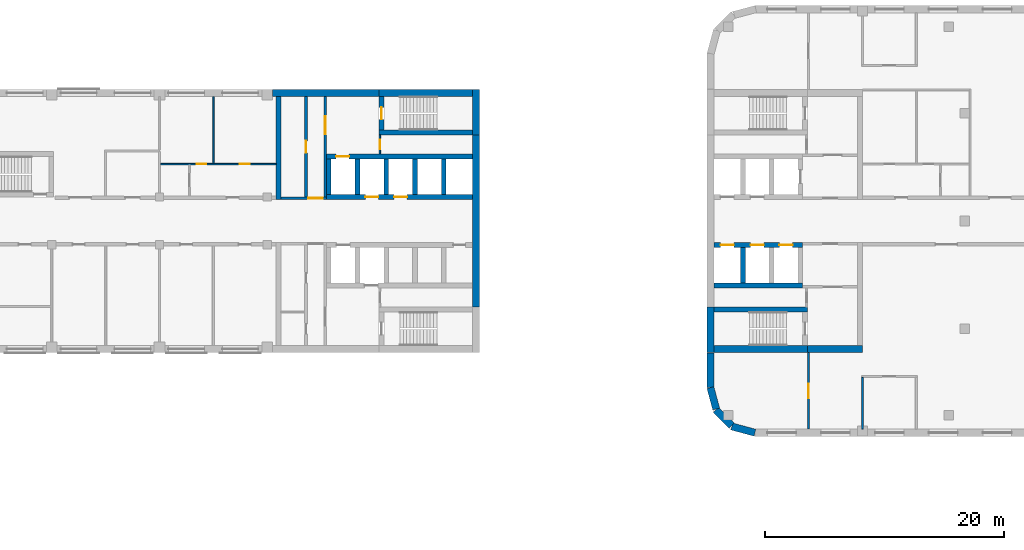
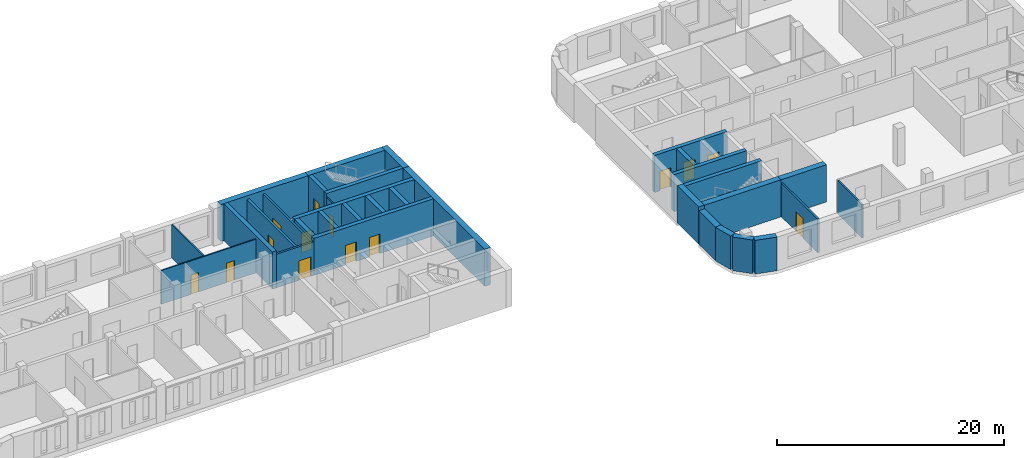
# One storey, part 6 of 12: 33 walls, 14 doors, 14 openings.
"""IFC4 building model written with IfcOpenShell, lengths in metres."""

import ifcopenshell
import ifcopenshell.guid

model = None  # the IFC model being written
_history = None  # IfcOwnerHistory: only IFC2X3 demands one
_inside = {}  # id of a spatial element -> (the spatial element, [elements in it])
_under = {}  # id of a project, library or spatial element -> (it, [spatial elements below it])
_declared = {}  # id of a project -> (the project, [libraries it declares])
_typed = {}  # id of a type object -> (the type object, [elements of that type])
_made_of = {}  # id of a material, layer set ... -> (it, [elements and type objects made of it])


def new_model(schema):
    """Start an empty IFC model of exactly this schema.

    Asked for "IFC4X3", IfcOpenShell would pick the latest addendum, in which some entities
    have other attributes; the version numbers below select the first issue.
    IFC2X3 requires an IfcOwnerHistory on every rooted entity: one is made here for all.
    """
    global model, _history
    if schema == "IFC4X3":
        model = ifcopenshell.file(schema_version=(4, 3, 0, 0))
    else:
        model = ifcopenshell.file(schema=schema)
    _inside.clear()
    _under.clear()
    _declared.clear()
    _typed.clear()
    _made_of.clear()
    _history = None
    if model.schema == "IFC2X3":
        org = make("IfcOrganization", Name="unknown")
        user = make(
            "IfcPersonAndOrganization",
            ThePerson=make("IfcPerson", FamilyName="unknown"),
            TheOrganization=org,
        )
        app = make(
            "IfcApplication",
            ApplicationDeveloper=org,
            Version="unknown",
            ApplicationFullName="unknown",
            ApplicationIdentifier="unknown",
        )
        _history = make(
            "IfcOwnerHistory",
            OwningUser=user,
            OwningApplication=app,
            ChangeAction="ADDED",
            CreationDate=0,
        )
    return model


def make(cls, **values):
    """One entity of the class cls with the attributes given. An attribute that is None is left unset."""
    return model.create_entity(
        cls, **{name: value for name, value in values.items() if value is not None}
    )


def rooted(cls, **values):
    """An entity with a GlobalId (a new one), such as an element, a storey or a relation."""
    return make(cls, GlobalId=ifcopenshell.guid.new(), OwnerHistory=_history, **values)


def si_unit(unit_type, name, prefix=None):
    """IfcSIUnit, for example si_unit("LENGTHUNIT", "METRE", prefix="MILLI")."""
    return make("IfcSIUnit", UnitType=unit_type, Prefix=prefix, Name=name)


def assignment(units):
    """IfcUnitAssignment: the units of a project."""
    return None if units is None else make("IfcUnitAssignment", Units=units)


def point(xyz):
    """IfcCartesianPoint."""
    return None if xyz is None else make("IfcCartesianPoint", Coordinates=xyz)


def direction(xyz):
    """IfcDirection."""
    return None if xyz is None else make("IfcDirection", DirectionRatios=xyz)


def frame(location, z_axis=None, x_axis=None):
    """IfcAxis2Placement3D, a coordinate frame: its origin and axes. An axis left out is left unset."""
    return make(
        "IfcAxis2Placement3D",
        Location=point(location),
        Axis=direction(z_axis),
        RefDirection=direction(x_axis),
    )


def frame_2d(location, x_axis=None):
    """IfcAxis2Placement2D, a coordinate frame in the plane: its origin and x axis."""
    return make(
        "IfcAxis2Placement2D", Location=point(location), RefDirection=direction(x_axis)
    )


def origin():
    """The frame at (0, 0, 0) with its axes left unset."""
    return frame((0.0, 0.0, 0.0))


def place(relative_to, where):
    """IfcLocalPlacement: puts the frame where relative to a parent placement (None: the world)."""
    return make(
        "IfcLocalPlacement", PlacementRelTo=relative_to, RelativePlacement=where
    )


def context(
    kind, dimensions, precision=None, world=None, true_north=None, identifier=None
):
    """IfcGeometricRepresentationContext, for example the 3D "Model" context."""
    return make(
        "IfcGeometricRepresentationContext",
        ContextIdentifier=identifier,
        ContextType=kind,
        CoordinateSpaceDimension=dimensions,
        Precision=precision,
        WorldCoordinateSystem=world,
        TrueNorth=true_north,
    )


def subcontext(parent, identifier, kind, view, scale=None):
    """IfcGeometricRepresentationSubContext, for example "Body" below "Model"."""
    return make(
        "IfcGeometricRepresentationSubContext",
        ContextIdentifier=identifier,
        ContextType=kind,
        ParentContext=parent,
        TargetScale=scale,
        TargetView=view,
    )


def project(units=None, contexts=None):
    """IfcProject with its units and contexts."""
    return rooted(
        "IfcProject",
        Name="project",
        RepresentationContexts=contexts,
        UnitsInContext=assignment(units),
    )


def spatial(cls, under=None, at=None, **own):
    """A site, building, storey or space (cls), placed at a placement, below another one or the project."""
    s = rooted(cls, ObjectPlacement=at, **own)
    if under is not None:
        _under.setdefault(under.id(), (under, []))[1].append(s)
    return s


def profile(cls, at=None, kind="AREA", **sizes):
    """A parametric profile (cls). Its sizes go by their IFC names, for example OverallWidth=200.0."""
    return make(cls, ProfileType=kind, Position=at, **sizes)


def rectangle(**sizes):
    """IfcRectangleProfileDef."""
    return profile("IfcRectangleProfileDef", **sizes)


def extrude(swept, where, along, depth):
    """IfcExtrudedAreaSolid: the profile swept, set in the frame where, extruded along a direction by depth."""
    return make(
        "IfcExtrudedAreaSolid",
        SweptArea=swept,
        Position=where,
        ExtrudedDirection=direction(along),
        Depth=depth,
    )


def shape(context_of_items, identifier, shape_type, items):
    """IfcShapeRepresentation: the items that make up one representation, for example the "Body"."""
    return make(
        "IfcShapeRepresentation",
        ContextOfItems=context_of_items,
        RepresentationIdentifier=identifier,
        RepresentationType=shape_type,
        Items=items,
    )


def material(Name=None, Category=None):
    """IfcMaterial."""
    return make("IfcMaterial", Name=Name, Category=Category)


def layer(
    of_material, thickness, ventilated=None, Name=None, Category=None, Priority=None
):
    """IfcMaterialLayer: one layer of a wall or slab, of a material (None: an air gap)."""
    return make(
        "IfcMaterialLayer",
        Material=of_material,
        LayerThickness=thickness,
        IsVentilated=ventilated,
        Name=Name,
        Category=Category,
        Priority=Priority,
    )


def layer_set(layers, Name=None):
    """IfcMaterialLayerSet."""
    return make("IfcMaterialLayerSet", MaterialLayers=layers, LayerSetName=Name)


def made_of(thing, what):
    """Note that an element or type object is made of a material, layer set ...; save() writes the relation."""
    if what is not None:
        _made_of.setdefault(what.id(), (what, []))[1].append(thing)
    return thing


def type_object(cls, material=None, **own):
    """A type object (cls), such as IfcWallType, which elements share."""
    return made_of(rooted(cls, **own), material)


def element(
    cls,
    number,
    at=None,
    inside=None,
    cuts=None,
    type_object=None,
    material=None,
    context=None,
    identifier="Body",
    shape_type=None,
    held_by="IfcProductDefinitionShape",
    body=None,
    shapes=None,
    **own,
):
    """One element of the class cls, such as IfcWall. Its Tag is "e" and its number.

    at: its placement. inside: the storey or other place that contains it. cuts: it is an
    opening in that element (IfcRelVoidsElement). A single representation is given by context,
    identifier, shape_type and body (its items); several are given by shapes. held_by: the class
    of the entity that holds the representations. save() writes the other relations.
    """
    e = rooted(cls, Tag="e%d" % number, ObjectPlacement=at, **own)
    if body is not None:
        shapes = [shape(context, identifier, shape_type, body)]
    if shapes is not None:
        e.Representation = make(held_by, Representations=shapes)
    if inside is not None:
        _inside.setdefault(inside.id(), (inside, []))[1].append(e)
    if cuts is not None:
        rooted(
            "IfcRelVoidsElement", RelatingBuildingElement=cuts, RelatedOpeningElement=e
        )
    if type_object is not None:
        _typed.setdefault(type_object.id(), (type_object, []))[1].append(e)
    return made_of(e, material)


def fill(opening, filler):
    """IfcRelFillsElement: the door or window that sits in an opening."""
    return rooted(
        "IfcRelFillsElement",
        RelatingOpeningElement=opening,
        RelatedBuildingElement=filler,
    )


def aggregate(whole, parts):
    """IfcRelAggregates: a whole, such as a stair, and the parts it consists of."""
    return rooted("IfcRelAggregates", RelatingObject=whole, RelatedObjects=parts)


def save(model, path):
    """Write the relations noted so far, then the file.

    IfcRelAggregates (storeys below a building ...), IfcRelContainedInSpatialStructure (elements
    in a storey), IfcRelDefinesByType, IfcRelAssociatesMaterial and IfcRelDeclares: one each for
    every whole, place, type object, material and project.
    """
    for whole, parts in _under.values():
        aggregate(whole, parts)
    for where, things in _inside.values():
        rooted(
            "IfcRelContainedInSpatialStructure",
            RelatedElements=things,
            RelatingStructure=where,
        )
    for kind, things in _typed.values():
        rooted("IfcRelDefinesByType", RelatedObjects=things, RelatingType=kind)
    for what, things in _made_of.values():
        rooted("IfcRelAssociatesMaterial", RelatedObjects=things, RelatingMaterial=what)
    for by, libraries in _declared.values():
        rooted("IfcRelDeclares", RelatingContext=by, RelatedDefinitions=libraries)
    model.write(path)


model = new_model("IFC4")

# Units and contexts
model_context = context("Model", 3, precision=1e-05, world=origin(), true_north=direction((0.0, 1.0)))
body_context = subcontext(model_context, "Body", "Model", "MODEL_VIEW")
ifc_project = project(units=[si_unit("LENGTHUNIT", "METRE"), si_unit("AREAUNIT", "SQUARE_METRE"), si_unit("VOLUMEUNIT", "CUBIC_METRE"), si_unit("PLANEANGLEUNIT", "RADIAN"), si_unit("MASSUNIT", "GRAM", prefix="KILO")], contexts=[model_context])

# Site, building, storey
site_placement = place(None, origin())
site = spatial("IfcSite", under=ifc_project, at=site_placement, CompositionType="ELEMENT")
building_placement = place(site_placement, origin())
building = spatial("IfcBuilding", under=site, at=building_placement, Name="Skarvind Civic Tower", CompositionType="ELEMENT")
storey_placement = place(building_placement, frame((0.0, 0.0, 47.5)))
storey = spatial("IfcBuildingStorey", under=building, at=storey_placement, Name="L10", CompositionType="ELEMENT", Elevation=47.5)

# Wall, opening, door
ifc_material_1 = material(Name="Acoustic gypsum board on steel studs", Category="steel")
ifc_layer_1 = layer(ifc_material_1, 0.175048828125)
ifc_layer_set_1 = layer_set([ifc_layer_1], Name="ACOUSTIC MEETING-ROOM PARTITION 175")
wall_type_1 = type_object("IfcWallType", Name="ACOUSTIC MEETING-ROOM PARTITION 175", PredefinedType="PARTITIONING", material=ifc_layer_set_1)
wall_1_placement = place(storey_placement, frame((135.5, 117.0, 0.0), z_axis=(0.0, 0.0, 1.0), x_axis=(0.0, -1.0, 0.0)))
wall_1 = element("IfcWall", 1, at=wall_1_placement, inside=storey, type_object=wall_type_1, Name="Partition 10.001", PredefinedType="PARTITIONING", context=body_context, shape_type="SweptSolid", body=[
    extrude(rectangle(XDim=6.39990234375, YDim=0.175048828125, at=frame_2d((3.199951171875, 0.0))), origin(), (0.0, 0.0, 1.0), 3.625),
])
opening_1_placement = place(wall_1_placement, frame((2.60009765625, 0.0, 0.0)))
opening_1 = element("IfcOpeningElement", 2, at=opening_1_placement, cuts=wall_1, Name="Opening L10-D111", PredefinedType="OPENING", context=body_context, shape_type="SweptSolid", body=[
    extrude(rectangle(XDim=1.199951171875, YDim=2.10009765625, at=frame_2d((0.60009765625, 1.050048828125))), frame((0.0, 0.097412109375, 0.0), z_axis=(0.0, -1.0, 0.0), x_axis=(1.0, 0.0, 0.0)), (0.0, 0.0, 1.0), 0.195068359375),
])
ifc_material_2 = material(Name="Timber door leaf", Category="wood")
door_type_1 = type_object("IfcDoorType", Name="DOOR 1200X2100 DOUBLE TIMBER", OperationType="NOTDEFINED", PredefinedType="DOOR", material=ifc_material_2)
door_1_placement = place(opening_1_placement, origin())
door_1 = element("IfcDoor", 3, at=door_1_placement, inside=storey, type_object=door_type_1, Name="Door L10-D111", OperationType="DOUBLE_DOOR_SINGLE_SWING", OverallHeight=2.10009765625, OverallWidth=1.199951171875, PredefinedType="DOOR", context=body_context, shape_type="SweptSolid", body=[
    extrude(rectangle(XDim=1.199951171875, YDim=2.10009765625, at=frame_2d((0.60009765625, 1.050048828125))), frame((0.0, 0.02490234375, 0.0), z_axis=(0.0, -1.0, 0.0), x_axis=(1.0, 0.0, 0.0)), (0.0, 0.0, 1.0), 0.050048828125),
])
fill(opening_1, door_1)

ifc_material_3 = material(Name="Fire-rated masonry partition", Category="masonry")
ifc_layer_2 = layer(ifc_material_3, 0.199951171875)
ifc_layer_set_2 = layer_set([ifc_layer_2], Name="Core enclosure wall 200")
wall_type_2 = type_object("IfcWallType", Name="Core enclosure wall 200", PredefinedType="PARTITIONING", material=ifc_layer_set_2)
wall_2_placement = place(storey_placement, frame((91.39990234375, 129.89990234375, 0.0), z_axis=(0.0, 0.0, 1.0), x_axis=(1.0, 0.0, 0.0)))
wall_2 = element("IfcWall", 4, at=wall_2_placement, inside=storey, type_object=wall_type_2, Name="Core wall C1", PredefinedType="PARTITIONING", context=body_context, shape_type="SweptSolid", body=[
    extrude(rectangle(XDim=3.800048828125, YDim=0.199951171875, at=frame_2d((1.89990234375, 0.0))), origin(), (0.0, 0.0, 1.0), 3.625),
])
opening_2_placement = place(wall_2_placement, frame((2.300048828125, 0.0, 0.0)))
opening_2 = element("IfcOpeningElement", 5, at=opening_2_placement, cuts=wall_2, Name="Opening D-L10-C1-11", PredefinedType="OPENING", context=body_context, shape_type="SweptSolid", body=[
    extrude(rectangle(XDim=1.199951171875, YDim=2.10009765625, at=frame_2d((0.60009765625, 1.050048828125))), frame((0.0, 0.10986328125, 0.0), z_axis=(0.0, -1.0, 0.0), x_axis=(1.0, 0.0, 0.0)), (0.0, 0.0, 1.0), 0.219970703125),
])
ifc_material_4 = material(Name="Fire-rated steel door", Category="steel")
door_type_2 = type_object("IfcDoorType", Name="Core lobby door 1200", OperationType="NOTDEFINED", PredefinedType="DOOR", material=ifc_material_4)
door_2_placement = place(opening_2_placement, origin())
door_2 = element("IfcDoor", 6, at=door_2_placement, inside=storey, type_object=door_type_2, Name="Fire door", OperationType="DOUBLE_DOOR_SINGLE_SWING", OverallHeight=2.10009765625, OverallWidth=1.199951171875, PredefinedType="DOOR", context=body_context, shape_type="SweptSolid", body=[
    extrude(rectangle(XDim=1.199951171875, YDim=2.10009765625, at=frame_2d((0.60009765625, 1.050048828125))), frame((0.0, 0.02490234375, 0.0), z_axis=(0.0, -1.0, 0.0), x_axis=(1.0, 0.0, 0.0)), (0.0, 0.0, 1.0), 0.050048828125),
])
fill(opening_2, door_2)

wall_3_placement = place(storey_placement, frame((95.10009765625, 130.0, 0.0), z_axis=(0.0, 0.0, 1.0), x_axis=(0.0, 1.0, 0.0)))
wall_3 = element("IfcWall", 7, at=wall_3_placement, inside=storey, type_object=wall_type_2, Name="Core wall C1", PredefinedType="PARTITIONING", context=body_context, shape_type="SweptSolid", body=[
    extrude(rectangle(XDim=8.39990234375, YDim=0.199951171875, at=frame_2d((4.199951171875, 0.0))), origin(), (0.0, 0.0, 1.0), 3.625),
])
opening_3_placement = place(wall_3_placement, frame((5.25, 0.0, 0.0)))
opening_3 = element("IfcOpeningElement", 8, at=opening_3_placement, cuts=wall_3, Name="Opening D-L10-C1-12", PredefinedType="OPENING", context=body_context, shape_type="SweptSolid", body=[
    extrude(rectangle(XDim=1.5, YDim=2.10009765625, at=frame_2d((0.75, 1.050048828125))), frame((0.0, 0.10986328125, 0.0), z_axis=(0.0, -1.0, 0.0), x_axis=(1.0, 0.0, 0.0)), (0.0, 0.0, 1.0), 0.219970703125),
])
door_type_3 = type_object("IfcDoorType", Name="Fire door 1500", OperationType="NOTDEFINED", PredefinedType="DOOR", material=ifc_material_4)
door_3_placement = place(opening_3_placement, origin())
door_3 = element("IfcDoor", 9, at=door_3_placement, inside=storey, type_object=door_type_3, Name="Fire door", OperationType="DOUBLE_DOOR_SINGLE_SWING", OverallHeight=2.10009765625, OverallWidth=1.5, PredefinedType="DOOR", context=body_context, shape_type="SweptSolid", body=[
    extrude(rectangle(XDim=1.5, YDim=2.10009765625, at=frame_2d((0.75, 1.050048828125))), frame((0.0, 0.02490234375, 0.0), z_axis=(0.0, -1.0, 0.0), x_axis=(1.0, 0.0, 0.0)), (0.0, 0.0, 1.0), 0.050048828125),
])
fill(opening_3, door_3)

# Wall
ifc_material_5 = material(Name="Concrete C80", Category="concrete")
ifc_layer_3 = layer(ifc_material_5, 0.39990234375)
ifc_layer_set_3 = layer_set([ifc_layer_3], Name="Core wall 400 C80")
wall_type_3 = type_object("IfcWallType", Name="Core wall 400 C80", PredefinedType="SHEAR", material=ifc_layer_set_3)
wall_4_placement = place(storey_placement, frame((107.39990234375, 135.39990234375, 0.0), z_axis=(0.0, 0.0, 1.0), x_axis=(-1.0, 0.0, 0.0)))
element("IfcWall", 10, at=wall_4_placement, inside=storey, type_object=wall_type_3, Name="Core wall C1 south stair inner L10", PredefinedType="SHEAR", context=body_context, shape_type="SweptSolid", body=[
    extrude(rectangle(XDim=7.7998046875, YDim=0.39990234375, at=frame_2d((3.89990234375, 0.0))), origin(), (0.0, 0.0, 1.0), 4.0),
])

# Wall, opening, door
wall_5_placement = place(storey_placement, frame((99.800048828125, 138.39990234375, 0.0), z_axis=(0.0, 0.0, 1.0), x_axis=(0.0, -1.0, 0.0)))
wall_5 = element("IfcWall", 11, at=wall_5_placement, inside=storey, type_object=wall_type_3, Name="Core wall C1 south stair end L10", PredefinedType="SHEAR", context=body_context, shape_type="SweptSolid", body=[
    extrude(rectangle(XDim=2.7998046875, YDim=0.39990234375, at=frame_2d((1.39990234375, 0.0))), origin(), (0.0, 0.0, 1.0), 4.0),
])
opening_4_placement = place(wall_5_placement, frame((0.89990234375, 0.0, 0.0)))
opening_4 = element("IfcOpeningElement", 12, at=opening_4_placement, cuts=wall_5, Name="Opening D-L10-C1-13", PredefinedType="OPENING", context=body_context, shape_type="SweptSolid", body=[
    extrude(rectangle(XDim=1.0, YDim=2.10009765625, at=frame_2d((0.5, 1.050048828125))), frame((0.0, 0.2099609375, 0.0), z_axis=(0.0, -1.0, 0.0), x_axis=(1.0, 0.0, 0.0)), (0.0, 0.0, 1.0), 0.419921875),
])
door_type_4 = type_object("IfcDoorType", Name="Fire door 1000", OperationType="NOTDEFINED", PredefinedType="DOOR", material=ifc_material_4)
door_4_placement = place(opening_4_placement, origin())
door_4 = element("IfcDoor", 13, at=door_4_placement, inside=storey, type_object=door_type_4, Name="Fire door", OperationType="SINGLE_SWING_RIGHT", OverallHeight=2.10009765625, OverallWidth=1.0, PredefinedType="DOOR", context=body_context, shape_type="SweptSolid", body=[
    extrude(rectangle(XDim=1.0, YDim=2.10009765625, at=frame_2d((0.5, 1.050048828125))), frame((0.0, 0.02490234375, 0.0), z_axis=(0.0, -1.0, 0.0), x_axis=(1.0, 0.0, 0.0)), (0.0, 0.0, 1.0), 0.050048828125),
])
fill(opening_4, door_4)

# Wall, openings, doors
wall_6_placement = place(storey_placement, frame((107.39990234375, 130.0, 0.0), z_axis=(0.0, 0.0, 1.0), x_axis=(-1.0, 0.0, 0.0)))
wall_6 = element("IfcWall", 14, at=wall_6_placement, inside=storey, type_object=wall_type_3, Name="Core wall C1 south lift row front L10", PredefinedType="SHEAR", context=body_context, shape_type="SweptSolid", body=[
    extrude(rectangle(XDim=12.199951171875, YDim=0.39990234375, at=frame_2d((6.10009765625, 0.0))), origin(), (0.0, 0.0, 1.0), 4.0),
])
opening_5_placement = place(wall_6_placement, frame((5.449951171875, 0.0, 0.0)))
opening_5 = element("IfcOpeningElement", 15, at=opening_5_placement, cuts=wall_6, Name="Opening LD12108", PredefinedType="OPENING", context=body_context, shape_type="SweptSolid", body=[
    extrude(rectangle(XDim=1.10009765625, YDim=2.10009765625, at=frame_2d((0.550048828125, 1.050048828125))), frame((0.0, 0.2099609375, 0.0), z_axis=(0.0, -1.0, 0.0), x_axis=(1.0, 0.0, 0.0)), (0.0, 0.0, 1.0), 0.419921875),
])
opening_6_placement = place(wall_6_placement, frame((7.85009765625, 0.0, 0.0)))
opening_6 = element("IfcOpeningElement", 16, at=opening_6_placement, cuts=wall_6, Name="Opening LD12109", PredefinedType="OPENING", context=body_context, shape_type="SweptSolid", body=[
    extrude(rectangle(XDim=1.10009765625, YDim=2.10009765625, at=frame_2d((0.550048828125, 1.050048828125))), frame((0.0, 0.2099609375, 0.0), z_axis=(0.0, -1.0, 0.0), x_axis=(1.0, 0.0, 0.0)), (0.0, 0.0, 1.0), 0.419921875),
])
ifc_material_6 = material(Name="Stainless steel landing door", Category="steel")
door_type_5 = type_object("IfcDoorType", Name="Lift landing door 1100", OperationType="DOUBLE_DOOR_SLIDING", PredefinedType="DOOR", material=ifc_material_6)
door_5_placement = place(opening_5_placement, origin())
door_5 = element("IfcDoor", 17, at=door_5_placement, inside=storey, type_object=door_type_5, Name="Lift landing door", OperationType="DOUBLE_DOOR_SLIDING", OverallHeight=2.10009765625, OverallWidth=1.10009765625, PredefinedType="DOOR", context=body_context, shape_type="SweptSolid", body=[
    extrude(rectangle(XDim=1.10009765625, YDim=2.10009765625, at=frame_2d((0.550048828125, 1.050048828125))), frame((0.0, 0.02490234375, 0.0), z_axis=(0.0, -1.0, 0.0), x_axis=(1.0, 0.0, 0.0)), (0.0, 0.0, 1.0), 0.050048828125),
])
fill(opening_5, door_5)
door_6_placement = place(opening_6_placement, origin())
door_6 = element("IfcDoor", 18, at=door_6_placement, inside=storey, type_object=door_type_5, Name="Lift landing door", OperationType="DOUBLE_DOOR_SLIDING", OverallHeight=2.10009765625, OverallWidth=1.10009765625, PredefinedType="DOOR", context=body_context, shape_type="SweptSolid", body=[
    extrude(rectangle(XDim=1.10009765625, YDim=2.10009765625, at=frame_2d((0.550048828125, 1.050048828125))), frame((0.0, 0.02490234375, 0.0), z_axis=(0.0, -1.0, 0.0), x_axis=(1.0, 0.0, 0.0)), (0.0, 0.0, 1.0), 0.050048828125),
])
fill(opening_6, door_6)

# Wall, opening, door
wall_7_placement = place(storey_placement, frame((107.39990234375, 133.39990234375, 0.0), z_axis=(0.0, 0.0, 1.0), x_axis=(-1.0, 0.0, 0.0)))
wall_7 = element("IfcWall", 19, at=wall_7_placement, inside=storey, type_object=wall_type_3, Name="Core wall C1 south lift row back L10", PredefinedType="SHEAR", context=body_context, shape_type="SweptSolid", body=[
    extrude(rectangle(XDim=12.199951171875, YDim=0.39990234375, at=frame_2d((6.10009765625, 0.0))), origin(), (0.0, 0.0, 1.0), 4.0),
])
opening_7_placement = place(wall_7_placement, frame((10.300048828125, 0.0, 0.0)))
opening_7 = element("IfcOpeningElement", 20, at=opening_7_placement, cuts=wall_7, Name="Opening LD12110", PredefinedType="OPENING", context=body_context, shape_type="SweptSolid", body=[
    extrude(rectangle(XDim=1.10009765625, YDim=2.10009765625, at=frame_2d((0.550048828125, 1.050048828125))), frame((0.0, 0.2099609375, 0.0), z_axis=(0.0, -1.0, 0.0), x_axis=(1.0, 0.0, 0.0)), (0.0, 0.0, 1.0), 0.419921875),
])
door_7_placement = place(opening_7_placement, origin())
door_7 = element("IfcDoor", 21, at=door_7_placement, inside=storey, type_object=door_type_5, Name="Lift landing door", OperationType="DOUBLE_DOOR_SLIDING", OverallHeight=2.10009765625, OverallWidth=1.10009765625, PredefinedType="DOOR", context=body_context, shape_type="SweptSolid", body=[
    extrude(rectangle(XDim=1.10009765625, YDim=2.10009765625, at=frame_2d((0.550048828125, 1.050048828125))), frame((0.0, 0.02490234375, 0.0), z_axis=(0.0, -1.0, 0.0), x_axis=(1.0, 0.0, 0.0)), (0.0, 0.0, 1.0), 0.050048828125),
])
fill(opening_7, door_7)

# Walls
for number, where, z_axis, x_axis, name in (
    (22, (105.0, 133.199951171875, 0.0), (0.0, 0.0, 1.0), (0.0, -1.0, 0.0), "Core wall C1 south lift row division 1 L10"),
    (23, (102.60009765625, 133.199951171875, 0.0), (0.0, 0.0, 1.0), (0.0, -1.0, 0.0), "Core wall C1 south lift row division 2 L10"),
    (24, (100.199951171875, 133.199951171875, 0.0), (0.0, 0.0, 1.0), (0.0, -1.0, 0.0), "Core wall C1 south lift row division 3 L10"),
    (25, (97.800048828125, 133.199951171875, 0.0), (0.0, 0.0, 1.0), (0.0, -1.0, 0.0), "Core wall C1 south lift row division 4 L10"),
    (26, (95.39990234375, 133.199951171875, 0.0), (0.0, 0.0, 1.0), (0.0, -1.0, 0.0), "Core wall C1 south lift row division 5 L10"),
):
    element("IfcWall", number, at=place(storey_placement, frame(where, z_axis=z_axis, x_axis=x_axis)), inside=storey, type_object=wall_type_3, Name=name, PredefinedType="SHEAR", context=body_context, shape_type="SweptSolid", body=[
        extrude(rectangle(XDim=3.0, YDim=0.39990234375, at=frame_2d((1.5, 0.0))), origin(), (0.0, 0.0, 1.0), 4.0),
    ])
wall_8_placement = place(storey_placement, frame((91.199951171875, 138.39990234375, 0.0), z_axis=(0.0, 0.0, 1.0), x_axis=(0.0, -1.0, 0.0)))
element("IfcWall", 27, at=wall_8_placement, inside=storey, type_object=wall_type_3, Name="Core wall C1 south inner face L10", PredefinedType="SHEAR", context=body_context, shape_type="SweptSolid", body=[
    extrude(rectangle(XDim=8.599853515625, YDim=0.39990234375, at=frame_2d((4.2998046875, 0.0))), origin(), (0.0, 0.0, 1.0), 4.0),
])
wall_9_placement = place(storey_placement, frame((127.60009765625, 120.60009765625, 0.0), z_axis=(0.0, 0.0, 1.0), x_axis=(1.0, 0.0, 0.0)))
element("IfcWall", 28, at=wall_9_placement, inside=storey, type_object=wall_type_3, Name="Core wall CA south stair inner L10", PredefinedType="SHEAR", context=body_context, shape_type="SweptSolid", body=[
    extrude(rectangle(XDim=7.7998046875, YDim=0.39990234375, at=frame_2d((3.89990234375, 0.0))), origin(), (0.0, 0.0, 1.0), 4.0),
])

# Wall, openings, doors
wall_10_placement = place(storey_placement, frame((127.60009765625, 126.0, 0.0), z_axis=(0.0, 0.0, 1.0), x_axis=(1.0, 0.0, 0.0)))
wall_10 = element("IfcWall", 29, at=wall_10_placement, inside=storey, type_object=wall_type_3, Name="Core wall CA south lift row front L10", PredefinedType="SHEAR", context=body_context, shape_type="SweptSolid", body=[
    extrude(rectangle(XDim=7.39990234375, YDim=0.39990234375, at=frame_2d((3.699951171875, 0.0))), origin(), (0.0, 0.0, 1.0), 4.0),
])
opening_8_placement = place(wall_10_placement, frame((0.550048828125, 0.0, 0.0)))
opening_8 = element("IfcOpeningElement", 30, at=opening_8_placement, cuts=wall_10, Name="Opening LD12304", PredefinedType="OPENING", context=body_context, shape_type="SweptSolid", body=[
    extrude(rectangle(XDim=1.10009765625, YDim=2.10009765625, at=frame_2d((0.550048828125, 1.050048828125))), frame((0.0, 0.2099609375, 0.0), z_axis=(0.0, -1.0, 0.0), x_axis=(1.0, 0.0, 0.0)), (0.0, 0.0, 1.0), 0.419921875),
])
opening_9_placement = place(wall_10_placement, frame((3.050048828125, 0.0, 0.0)))
opening_9 = element("IfcOpeningElement", 31, at=opening_9_placement, cuts=wall_10, Name="Opening LD12305", PredefinedType="OPENING", context=body_context, shape_type="SweptSolid", body=[
    extrude(rectangle(XDim=1.10009765625, YDim=2.10009765625, at=frame_2d((0.550048828125, 1.050048828125))), frame((0.0, 0.2099609375, 0.0), z_axis=(0.0, -1.0, 0.0), x_axis=(1.0, 0.0, 0.0)), (0.0, 0.0, 1.0), 0.419921875),
])
opening_10_placement = place(wall_10_placement, frame((5.449951171875, 0.0, 0.0)))
opening_10 = element("IfcOpeningElement", 32, at=opening_10_placement, cuts=wall_10, Name="Opening LD12306", PredefinedType="OPENING", context=body_context, shape_type="SweptSolid", body=[
    extrude(rectangle(XDim=1.10009765625, YDim=2.10009765625, at=frame_2d((0.550048828125, 1.050048828125))), frame((0.0, 0.2099609375, 0.0), z_axis=(0.0, -1.0, 0.0), x_axis=(1.0, 0.0, 0.0)), (0.0, 0.0, 1.0), 0.419921875),
])
door_8_placement = place(opening_8_placement, origin())
door_8 = element("IfcDoor", 33, at=door_8_placement, inside=storey, type_object=door_type_5, Name="Lift landing door", OperationType="DOUBLE_DOOR_SLIDING", OverallHeight=2.10009765625, OverallWidth=1.10009765625, PredefinedType="DOOR", context=body_context, shape_type="SweptSolid", body=[
    extrude(rectangle(XDim=1.10009765625, YDim=2.10009765625, at=frame_2d((0.550048828125, 1.050048828125))), frame((0.0, 0.02490234375, 0.0), z_axis=(0.0, -1.0, 0.0), x_axis=(1.0, 0.0, 0.0)), (0.0, 0.0, 1.0), 0.050048828125),
])
fill(opening_8, door_8)
door_9_placement = place(opening_9_placement, origin())
door_9 = element("IfcDoor", 34, at=door_9_placement, inside=storey, type_object=door_type_5, Name="Lift landing door", OperationType="DOUBLE_DOOR_SLIDING", OverallHeight=2.10009765625, OverallWidth=1.10009765625, PredefinedType="DOOR", context=body_context, shape_type="SweptSolid", body=[
    extrude(rectangle(XDim=1.10009765625, YDim=2.10009765625, at=frame_2d((0.550048828125, 1.050048828125))), frame((0.0, 0.02490234375, 0.0), z_axis=(0.0, -1.0, 0.0), x_axis=(1.0, 0.0, 0.0)), (0.0, 0.0, 1.0), 0.050048828125),
])
fill(opening_9, door_9)
door_10_placement = place(opening_10_placement, origin())
door_10 = element("IfcDoor", 35, at=door_10_placement, inside=storey, type_object=door_type_5, Name="Lift landing door", OperationType="DOUBLE_DOOR_SLIDING", OverallHeight=2.10009765625, OverallWidth=1.10009765625, PredefinedType="DOOR", context=body_context, shape_type="SweptSolid", body=[
    extrude(rectangle(XDim=1.10009765625, YDim=2.10009765625, at=frame_2d((0.550048828125, 1.050048828125))), frame((0.0, 0.02490234375, 0.0), z_axis=(0.0, -1.0, 0.0), x_axis=(1.0, 0.0, 0.0)), (0.0, 0.0, 1.0), 0.050048828125),
])
fill(opening_10, door_10)

# Walls
wall_11_placement = place(storey_placement, frame((127.60009765625, 122.60009765625, 0.0), z_axis=(0.0, 0.0, 1.0), x_axis=(1.0, 0.0, 0.0)))
element("IfcWall", 36, at=wall_11_placement, inside=storey, type_object=wall_type_3, Name="Core wall CA south lift row back L10", PredefinedType="SHEAR", context=body_context, shape_type="SweptSolid", body=[
    extrude(rectangle(XDim=7.39990234375, YDim=0.39990234375, at=frame_2d((3.699951171875, 0.0))), origin(), (0.0, 0.0, 1.0), 4.0),
])
wall_12_placement = place(storey_placement, frame((130.0, 122.800048828125, 0.0), z_axis=(0.0, 0.0, 1.0), x_axis=(0.0, 1.0, 0.0)))
element("IfcWall", 37, at=wall_12_placement, inside=storey, type_object=wall_type_3, Name="Core wall CA south lift row division 1 L10", PredefinedType="SHEAR", context=body_context, shape_type="SweptSolid", body=[
    extrude(rectangle(XDim=3.0, YDim=0.39990234375, at=frame_2d((1.5, 0.0))), origin(), (0.0, 0.0, 1.0), 4.0),
])
ifc_layer_4 = layer(ifc_material_5, 0.60009765625)
ifc_layer_set_4 = layer_set([ifc_layer_4], Name="Core wall 600 C80")
wall_type_4 = type_object("IfcWallType", Name="Core wall 600 C80", PredefinedType="SHEAR", material=ifc_layer_set_4)
wall_13_placement = place(storey_placement, frame((107.699951171875, 139.0, 0.0), z_axis=(0.0, 0.0, 1.0), x_axis=(0.0, -1.0, 0.0)))
element("IfcWall", 38, at=wall_13_placement, inside=storey, type_object=wall_type_4, Name="Core wall C1 tip at the south stair L10", PredefinedType="SHEAR", context=body_context, shape_type="SweptSolid", body=[
    extrude(rectangle(XDim=3.800048828125, YDim=0.60009765625, at=frame_2d((1.89990234375, 0.0))), origin(), (0.0, 0.0, 1.0), 4.0),
])
wall_14_placement = place(storey_placement, frame((107.699951171875, 135.199951171875, 0.0), z_axis=(0.0, 0.0, 1.0), x_axis=(0.0, -1.0, 0.0)))
element("IfcWall", 39, at=wall_14_placement, inside=storey, type_object=wall_type_4, Name="Core wall C1 tip between the stairs L10", PredefinedType="SHEAR", context=body_context, shape_type="SweptSolid", body=[
    extrude(rectangle(XDim=14.39990234375, YDim=0.60009765625, at=frame_2d((7.199951171875, 0.0))), origin(), (0.0, 0.0, 1.0), 4.0),
])
wall_15_placement = place(storey_placement, frame((107.39990234375, 138.699951171875, 0.0), z_axis=(0.0, 0.0, 1.0), x_axis=(-1.0, 0.0, 0.0)))
element("IfcWall", 40, at=wall_15_placement, inside=storey, type_object=wall_type_4, Name="Core wall C1 south side at the stair L10", PredefinedType="SHEAR", context=body_context, shape_type="SweptSolid", body=[
    extrude(rectangle(XDim=7.7998046875, YDim=0.60009765625, at=frame_2d((3.89990234375, 0.0))), origin(), (0.0, 0.0, 1.0), 4.0),
])
wall_16_placement = place(storey_placement, frame((99.60009765625, 138.699951171875, 0.0), z_axis=(0.0, 0.0, 1.0), x_axis=(-1.0, 0.0, 0.0)))
element("IfcWall", 41, at=wall_16_placement, inside=storey, type_object=wall_type_4, Name="Core wall C1 south side L10", PredefinedType="SHEAR", context=body_context, shape_type="SweptSolid", body=[
    extrude(rectangle(XDim=8.900146484375, YDim=0.60009765625, at=frame_2d((4.4501953125, 0.0))), origin(), (0.0, 0.0, 1.0), 4.0),
])
wall_17_placement = place(storey_placement, frame((127.300048828125, 117.0, 0.0), z_axis=(0.0, 0.0, 1.0), x_axis=(0.0, 1.0, 0.0)))
element("IfcWall", 42, at=wall_17_placement, inside=storey, type_object=wall_type_4, Name="Core wall CA tip at the south stair L10", PredefinedType="SHEAR", context=body_context, shape_type="SweptSolid", body=[
    extrude(rectangle(XDim=3.800048828125, YDim=0.60009765625, at=frame_2d((1.89990234375, 0.0))), origin(), (0.0, 0.0, 1.0), 4.0),
])
wall_18_placement = place(storey_placement, frame((127.60009765625, 117.300048828125, 0.0), z_axis=(0.0, 0.0, 1.0), x_axis=(1.0, 0.0, 0.0)))
element("IfcWall", 43, at=wall_18_placement, inside=storey, type_object=wall_type_4, Name="Core wall CA south side at the stair L10", PredefinedType="SHEAR", context=body_context, shape_type="SweptSolid", body=[
    extrude(rectangle(XDim=7.7998046875, YDim=0.60009765625, at=frame_2d((3.89990234375, 0.0))), origin(), (0.0, 0.0, 1.0), 4.0),
])
wall_19_placement = place(storey_placement, frame((135.39990234375, 117.300048828125, 0.0), z_axis=(0.0, 0.0, 1.0), x_axis=(1.0, 0.0, 0.0)))
element("IfcWall", 44, at=wall_19_placement, inside=storey, type_object=wall_type_4, Name="Core wall CA south side L10", PredefinedType="SHEAR", context=body_context, shape_type="SweptSolid", body=[
    extrude(rectangle(XDim=4.60009765625, YDim=0.60009765625, at=frame_2d((2.300048828125, 0.0))), origin(), (0.0, 0.0, 1.0), 4.0),
])
ifc_material_7 = material(Name="Plasterboard partition on steel studs", Category="steel")
ifc_layer_5 = layer(ifc_material_7, 0.14990234375)
ifc_layer_set_5 = layer_set([ifc_layer_5], Name="PARTITION 150")
wall_type_5 = type_object("IfcWallType", Name="PARTITION 150", PredefinedType="PARTITIONING", material=ifc_layer_set_5)
wall_20_placement = place(storey_placement, frame((140.0, 110.60009765625, 0.0), z_axis=(0.0, 0.0, 1.0), x_axis=(0.0, 1.0, 0.0)))
element("IfcWall", 45, at=wall_20_placement, inside=storey, type_object=wall_type_5, Name="Partition 10.003", PredefinedType="PARTITIONING", context=body_context, shape_type="SweptSolid", body=[
    extrude(rectangle(XDim=4.324951171875, YDim=0.14990234375, at=frame_2d((2.16259765625, 0.0))), origin(), (0.0, 0.0, 1.0), 3.625),
])

# Wall, opening, door
ifc_layer_6 = layer(ifc_material_3, 0.125)
ifc_layer_set_6 = layer_set([ifc_layer_6], Name="Riser wall 125")
wall_type_6 = type_object("IfcWallType", Name="Riser wall 125", PredefinedType="PARTITIONING", material=ifc_layer_set_6)
wall_21_placement = place(storey_placement, frame((99.66259765625, 133.60009765625, 0.0), z_axis=(0.0, 0.0, 1.0), x_axis=(0.0, 1.0, 0.0)))
wall_21 = element("IfcWall", 46, at=wall_21_placement, inside=storey, type_object=wall_type_6, Name="Core wall C1", PredefinedType="PARTITIONING", context=body_context, shape_type="SweptSolid", body=[
    extrude(rectangle(XDim=1.599853515625, YDim=0.125, at=frame_2d((0.7998046875, 0.0))), origin(), (0.0, 0.0, 1.0), 3.625),
])
opening_11_placement = place(wall_21_placement, frame((0.39990234375, 0.0, 0.0)))
opening_11 = element("IfcOpeningElement", 47, at=opening_11_placement, cuts=wall_21, Name="Opening D-L10-C1-14", PredefinedType="OPENING", context=body_context, shape_type="SweptSolid", body=[
    extrude(rectangle(XDim=0.800048828125, YDim=2.10009765625, at=frame_2d((0.39990234375, 1.050048828125))), frame((0.0, 0.072509765625, 0.0), z_axis=(0.0, -1.0, 0.0), x_axis=(1.0, 0.0, 0.0)), (0.0, 0.0, 1.0), 0.14501953125),
])
door_type_6 = type_object("IfcDoorType", Name="Core riser door 800", OperationType="NOTDEFINED", PredefinedType="DOOR", material=ifc_material_4)
door_11_placement = place(opening_11_placement, origin())
door_11 = element("IfcDoor", 48, at=door_11_placement, inside=storey, type_object=door_type_6, Name="Riser door", OperationType="SINGLE_SWING_LEFT", OverallHeight=2.10009765625, OverallWidth=0.800048828125, PredefinedType="DOOR", context=body_context, shape_type="SweptSolid", body=[
    extrude(rectangle(XDim=0.800048828125, YDim=2.10009765625, at=frame_2d((0.39990234375, 1.050048828125))), frame((0.0, 0.02490234375, 0.0), z_axis=(0.0, -1.0, 0.0), x_axis=(1.0, 0.0, 0.0)), (0.0, 0.0, 1.0), 0.050048828125),
])
fill(opening_11, door_11)

ifc_layer_7 = layer(ifc_material_3, 0.25)
ifc_layer_set_7 = layer_set([ifc_layer_7], Name="Service block wall 250")
wall_type_7 = type_object("IfcWallType", Name="Service block wall 250", PredefinedType="PARTITIONING", material=ifc_layer_set_7)
wall_22_placement = place(storey_placement, frame((93.47509765625, 130.0, 0.0), z_axis=(0.0, 0.0, 1.0), x_axis=(0.0, 1.0, 0.0)))
wall_22 = element("IfcWall", 49, at=wall_22_placement, inside=storey, type_object=wall_type_7, Name="Core wall C1", PredefinedType="PARTITIONING", context=body_context, shape_type="SweptSolid", body=[
    extrude(rectangle(XDim=8.39990234375, YDim=0.25, at=frame_2d((4.199951171875, 0.0))), origin(), (0.0, 0.0, 1.0), 3.625),
])
opening_12_placement = place(wall_22_placement, frame((3.699951171875, 0.0, 0.0)))
opening_12 = element("IfcOpeningElement", 50, at=opening_12_placement, cuts=wall_22, Name="Opening D-L10-C1-15", PredefinedType="OPENING", context=body_context, shape_type="SweptSolid", body=[
    extrude(rectangle(XDim=1.0, YDim=2.10009765625, at=frame_2d((0.5, 1.050048828125))), frame((0.0, 0.135009765625, 0.0), z_axis=(0.0, -1.0, 0.0), x_axis=(1.0, 0.0, 0.0)), (0.0, 0.0, 1.0), 0.27001953125),
])
door_12_placement = place(opening_12_placement, origin())
door_12 = element("IfcDoor", 51, at=door_12_placement, inside=storey, type_object=door_type_4, Name="Fire door", OperationType="SINGLE_SWING_RIGHT", OverallHeight=2.10009765625, OverallWidth=1.0, PredefinedType="DOOR", context=body_context, shape_type="SweptSolid", body=[
    extrude(rectangle(XDim=1.0, YDim=2.10009765625, at=frame_2d((0.5, 1.050048828125))), frame((0.0, 0.02490234375, 0.0), z_axis=(0.0, -1.0, 0.0), x_axis=(1.0, 0.0, 0.0)), (0.0, 0.0, 1.0), 0.050048828125),
])
fill(opening_12, door_12)

# Wall, openings, doors
ifc_material_8 = material(Name="Moisture-resistant gypsum board on steel studs", Category="steel")
ifc_layer_8 = layer(ifc_material_8, 0.125)
ifc_layer_set_8 = layer_set([ifc_layer_8], Name="WC PARTITION 125")
wall_type_8 = type_object("IfcWallType", Name="WC PARTITION 125", PredefinedType="PARTITIONING", material=ifc_layer_set_8)
wall_23_placement = place(storey_placement, frame((81.337890625, 132.75, 0.0), z_axis=(0.0, 0.0, 1.0), x_axis=(1.0, 0.0, 0.0)))
wall_23 = element("IfcWall", 52, at=wall_23_placement, inside=storey, type_object=wall_type_8, Name="Partition 10.029", PredefinedType="PARTITIONING", context=body_context, shape_type="SweptSolid", body=[
    extrude(rectangle(XDim=9.662109375, YDim=0.125, at=frame_2d((4.8310546875, 0.0))), origin(), (0.0, 0.0, 1.0), 3.625),
])
opening_13_placement = place(wall_23_placement, frame((6.636962890625, 0.0, 0.0)))
opening_13 = element("IfcOpeningElement", 53, at=opening_13_placement, cuts=wall_23, Name="Opening L10-D003", PredefinedType="OPENING", context=body_context, shape_type="SweptSolid", body=[
    extrude(rectangle(XDim=0.800048828125, YDim=2.10009765625, at=frame_2d((0.39990234375, 1.050048828125))), frame((0.0, 0.072509765625, 0.0), z_axis=(0.0, -1.0, 0.0), x_axis=(1.0, 0.0, 0.0)), (0.0, 0.0, 1.0), 0.14501953125),
])
opening_14_placement = place(wall_23_placement, frame((3.010498046875, 0.0, 0.0)))
opening_14 = element("IfcOpeningElement", 54, at=opening_14_placement, cuts=wall_23, Name="Opening L10-D004", PredefinedType="OPENING", context=body_context, shape_type="SweptSolid", body=[
    extrude(rectangle(XDim=0.800048828125, YDim=2.10009765625, at=frame_2d((0.39990234375, 1.050048828125))), frame((0.0, 0.072509765625, 0.0), z_axis=(0.0, -1.0, 0.0), x_axis=(1.0, 0.0, 0.0)), (0.0, 0.0, 1.0), 0.14501953125),
])
door_type_7 = type_object("IfcDoorType", Name="DOOR 800X2100 TIMBER", OperationType="NOTDEFINED", PredefinedType="DOOR", material=ifc_material_2)
door_13_placement = place(opening_13_placement, origin())
door_13 = element("IfcDoor", 55, at=door_13_placement, inside=storey, type_object=door_type_7, Name="Door L10-D003", OperationType="SINGLE_SWING_RIGHT", OverallHeight=2.10009765625, OverallWidth=0.800048828125, PredefinedType="DOOR", context=body_context, shape_type="SweptSolid", body=[
    extrude(rectangle(XDim=0.800048828125, YDim=2.10009765625, at=frame_2d((0.39990234375, 1.050048828125))), frame((0.0, 0.02490234375, 0.0), z_axis=(0.0, -1.0, 0.0), x_axis=(1.0, 0.0, 0.0)), (0.0, 0.0, 1.0), 0.050048828125),
])
fill(opening_13, door_13)
door_14_placement = place(opening_14_placement, origin())
door_14 = element("IfcDoor", 56, at=door_14_placement, inside=storey, type_object=door_type_7, Name="Door L10-D004", OperationType="SINGLE_SWING_LEFT", OverallHeight=2.10009765625, OverallWidth=0.800048828125, PredefinedType="DOOR", context=body_context, shape_type="SweptSolid", body=[
    extrude(rectangle(XDim=0.800048828125, YDim=2.10009765625, at=frame_2d((0.39990234375, 1.050048828125))), frame((0.0, 0.02490234375, 0.0), z_axis=(0.0, -1.0, 0.0), x_axis=(1.0, 0.0, 0.0)), (0.0, 0.0, 1.0), 0.050048828125),
])
fill(opening_14, door_14)

# Walls
wall_24_placement = place(storey_placement, frame((85.75, 138.39990234375, 0.0), z_axis=(0.0, 0.0, 1.0), x_axis=(0.0, -1.0, 0.0)))
element("IfcWall", 57, at=wall_24_placement, inside=storey, type_object=wall_type_8, Name="Partition 10.033", PredefinedType="PARTITIONING", context=body_context, shape_type="SweptSolid", body=[
    extrude(rectangle(XDim=5.587890625, YDim=0.125, at=frame_2d((2.7939453125, 0.0))), origin(), (0.0, 0.0, 1.0), 3.625),
])
ifc_material_9 = material(Name="Limestone masonry cladding on insulated backing", Category="masonry")
ifc_layer_9 = layer(ifc_material_9, 0.60009765625)
ifc_layer_set_9 = layer_set([ifc_layer_9], Name="WX1 STONE FACADE WALL 600")
wall_type_9 = type_object("IfcWallType", Name="WX1 STONE FACADE WALL 600", PredefinedType="SOLIDWALL", material=ifc_layer_set_9)
wall_25_placement = place(storey_placement, frame((127.300048828125, 114.070068359375, 0.0), z_axis=(0.0, 0.0, 1.0), x_axis=(0.0, 1.0, 0.0)))
element("IfcWall", 58, at=wall_25_placement, inside=storey, type_object=wall_type_9, Name="STONE FACADE WALL", PredefinedType="SOLIDWALL", context=body_context, shape_type="SweptSolid", body=[
    extrude(rectangle(XDim=2.909912109375, YDim=0.60009765625, at=frame_2d((1.455078125, 0.0))), origin(), (0.0, 0.0, 1.0), 3.625),
])
for number, where, z_axis, x_axis, name in (
    (59, (127.771240234375, 112.280517578125, 0.0), (0.0, 0.0, 1.0), (-0.258773254036, 0.965938094805, 0.0), "STONE FACADE WALL"),
    (60, (129.063720703125, 110.896484375, 0.0), (0.0, 0.0, 1.0), (-0.707106781187, 0.707106781187, 0.0), "STONE FACADE WALL"),
):
    element("IfcWall", number, at=place(storey_placement, frame(where, z_axis=z_axis, x_axis=x_axis)), inside=storey, type_object=wall_type_9, Name=name, PredefinedType="SOLIDWALL", context=body_context, shape_type="SweptSolid", body=[
        extrude(rectangle(XDim=1.860595703125, YDim=0.60009765625, at=frame_2d((0.93017578125, 0.0))), origin(), (0.0, 0.0, 1.0), 3.625),
    ])
wall_26_placement = place(storey_placement, frame((131.010009765625, 110.307861328125, 0.0), z_axis=(0.0, 0.0, 1.0), x_axis=(-0.965920269068, 0.258839784042, 0.0)))
element("IfcWall", 61, at=wall_26_placement, inside=storey, type_object=wall_type_9, Name="STONE FACADE WALL", PredefinedType="SOLIDWALL", context=body_context, shape_type="SweptSolid", body=[
    extrude(rectangle(XDim=2.00048828125, YDim=0.60009765625, at=frame_2d((1.000244140625, 0.0))), origin(), (0.0, 0.0, 1.0), 3.625),
])

save(model, "model.ifc")
